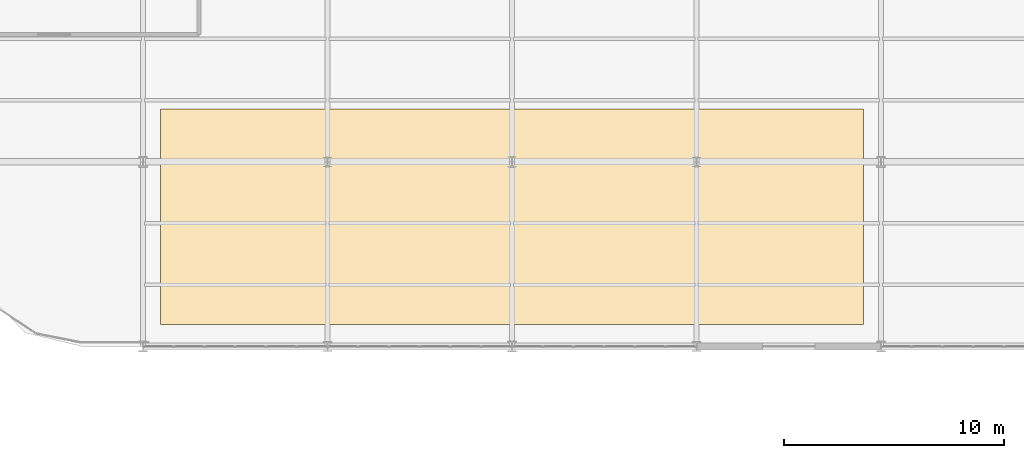
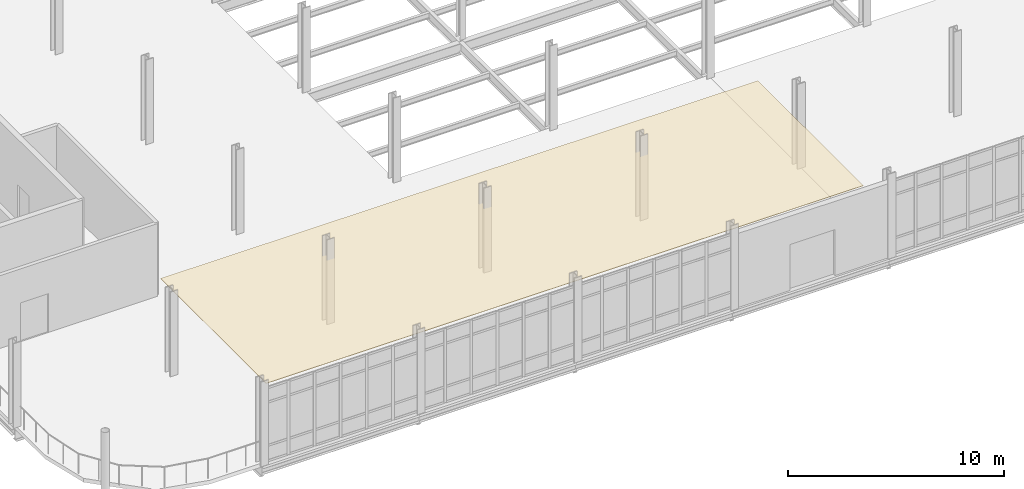
# One storey, part 141 of 145: 1 covering.
"""IFC4 building model written with IfcOpenShell, lengths in metres."""

import ifcopenshell
import ifcopenshell.guid

model = None  # the IFC model being written
_history = None  # IfcOwnerHistory: only IFC2X3 demands one
_inside = {}  # id of a spatial element -> (the spatial element, [elements in it])
_under = {}  # id of a project, library or spatial element -> (it, [spatial elements below it])
_declared = {}  # id of a project -> (the project, [libraries it declares])
_typed = {}  # id of a type object -> (the type object, [elements of that type])
_made_of = {}  # id of a material, layer set ... -> (it, [elements and type objects made of it])


def new_model(schema):
    """Start an empty IFC model of exactly this schema.

    Asked for "IFC4X3", IfcOpenShell would pick the latest addendum, in which some entities
    have other attributes; the version numbers below select the first issue.
    IFC2X3 requires an IfcOwnerHistory on every rooted entity: one is made here for all.
    """
    global model, _history
    if schema == "IFC4X3":
        model = ifcopenshell.file(schema_version=(4, 3, 0, 0))
    else:
        model = ifcopenshell.file(schema=schema)
    _inside.clear()
    _under.clear()
    _declared.clear()
    _typed.clear()
    _made_of.clear()
    _history = None
    if model.schema == "IFC2X3":
        org = make("IfcOrganization", Name="unknown")
        user = make(
            "IfcPersonAndOrganization",
            ThePerson=make("IfcPerson", FamilyName="unknown"),
            TheOrganization=org,
        )
        app = make(
            "IfcApplication",
            ApplicationDeveloper=org,
            Version="unknown",
            ApplicationFullName="unknown",
            ApplicationIdentifier="unknown",
        )
        _history = make(
            "IfcOwnerHistory",
            OwningUser=user,
            OwningApplication=app,
            ChangeAction="ADDED",
            CreationDate=0,
        )
    return model


def make(cls, **values):
    """One entity of the class cls with the attributes given. An attribute that is None is left unset."""
    return model.create_entity(
        cls, **{name: value for name, value in values.items() if value is not None}
    )


def rooted(cls, **values):
    """An entity with a GlobalId (a new one), such as an element, a storey or a relation."""
    return make(cls, GlobalId=ifcopenshell.guid.new(), OwnerHistory=_history, **values)


def si_unit(unit_type, name, prefix=None):
    """IfcSIUnit, for example si_unit("LENGTHUNIT", "METRE", prefix="MILLI")."""
    return make("IfcSIUnit", UnitType=unit_type, Prefix=prefix, Name=name)


def assignment(units):
    """IfcUnitAssignment: the units of a project."""
    return None if units is None else make("IfcUnitAssignment", Units=units)


def point(xyz):
    """IfcCartesianPoint."""
    return None if xyz is None else make("IfcCartesianPoint", Coordinates=xyz)


def direction(xyz):
    """IfcDirection."""
    return None if xyz is None else make("IfcDirection", DirectionRatios=xyz)


def frame(location, z_axis=None, x_axis=None):
    """IfcAxis2Placement3D, a coordinate frame: its origin and axes. An axis left out is left unset."""
    return make(
        "IfcAxis2Placement3D",
        Location=point(location),
        Axis=direction(z_axis),
        RefDirection=direction(x_axis),
    )


def origin():
    """The frame at (0, 0, 0) with its axes left unset."""
    return frame((0.0, 0.0, 0.0))


def place(relative_to, where):
    """IfcLocalPlacement: puts the frame where relative to a parent placement (None: the world)."""
    return make(
        "IfcLocalPlacement", PlacementRelTo=relative_to, RelativePlacement=where
    )


def context(
    kind, dimensions, precision=None, world=None, true_north=None, identifier=None
):
    """IfcGeometricRepresentationContext, for example the 3D "Model" context."""
    return make(
        "IfcGeometricRepresentationContext",
        ContextIdentifier=identifier,
        ContextType=kind,
        CoordinateSpaceDimension=dimensions,
        Precision=precision,
        WorldCoordinateSystem=world,
        TrueNorth=true_north,
    )


def subcontext(parent, identifier, kind, view, scale=None):
    """IfcGeometricRepresentationSubContext, for example "Body" below "Model"."""
    return make(
        "IfcGeometricRepresentationSubContext",
        ContextIdentifier=identifier,
        ContextType=kind,
        ParentContext=parent,
        TargetScale=scale,
        TargetView=view,
    )


def project(units=None, contexts=None):
    """IfcProject with its units and contexts."""
    return rooted(
        "IfcProject",
        Name="project",
        RepresentationContexts=contexts,
        UnitsInContext=assignment(units),
    )


def spatial(cls, under=None, at=None, **own):
    """A site, building, storey or space (cls), placed at a placement, below another one or the project."""
    s = rooted(cls, ObjectPlacement=at, **own)
    if under is not None:
        _under.setdefault(under.id(), (under, []))[1].append(s)
    return s


def polyline(points):
    """IfcPolyline through the points."""
    return make("IfcPolyline", Points=[point(p) for p in points])


def outline(outer, holes=None, kind="AREA"):
    """IfcArbitraryClosedProfileDef: a profile drawn as a closed curve; with holes, ...WithVoids."""
    if holes is None:
        return make("IfcArbitraryClosedProfileDef", ProfileType=kind, OuterCurve=outer)
    return make(
        "IfcArbitraryProfileDefWithVoids",
        ProfileType=kind,
        OuterCurve=outer,
        InnerCurves=holes,
    )


def extrude(swept, where, along, depth):
    """IfcExtrudedAreaSolid: the profile swept, set in the frame where, extruded along a direction by depth."""
    return make(
        "IfcExtrudedAreaSolid",
        SweptArea=swept,
        Position=where,
        ExtrudedDirection=direction(along),
        Depth=depth,
    )


def shape(context_of_items, identifier, shape_type, items):
    """IfcShapeRepresentation: the items that make up one representation, for example the "Body"."""
    return make(
        "IfcShapeRepresentation",
        ContextOfItems=context_of_items,
        RepresentationIdentifier=identifier,
        RepresentationType=shape_type,
        Items=items,
    )


def material(Name=None, Category=None):
    """IfcMaterial."""
    return make("IfcMaterial", Name=Name, Category=Category)


def layer(
    of_material, thickness, ventilated=None, Name=None, Category=None, Priority=None
):
    """IfcMaterialLayer: one layer of a wall or slab, of a material (None: an air gap)."""
    return make(
        "IfcMaterialLayer",
        Material=of_material,
        LayerThickness=thickness,
        IsVentilated=ventilated,
        Name=Name,
        Category=Category,
        Priority=Priority,
    )


def layer_set(layers, Name=None):
    """IfcMaterialLayerSet."""
    return make("IfcMaterialLayerSet", MaterialLayers=layers, LayerSetName=Name)


def made_of(thing, what):
    """Note that an element or type object is made of a material, layer set ...; save() writes the relation."""
    if what is not None:
        _made_of.setdefault(what.id(), (what, []))[1].append(thing)
    return thing


def type_object(cls, material=None, **own):
    """A type object (cls), such as IfcWallType, which elements share."""
    return made_of(rooted(cls, **own), material)


def element(
    cls,
    number,
    at=None,
    inside=None,
    cuts=None,
    type_object=None,
    material=None,
    context=None,
    identifier="Body",
    shape_type=None,
    held_by="IfcProductDefinitionShape",
    body=None,
    shapes=None,
    **own,
):
    """One element of the class cls, such as IfcWall. Its Tag is "e" and its number.

    at: its placement. inside: the storey or other place that contains it. cuts: it is an
    opening in that element (IfcRelVoidsElement). A single representation is given by context,
    identifier, shape_type and body (its items); several are given by shapes. held_by: the class
    of the entity that holds the representations. save() writes the other relations.
    """
    e = rooted(cls, Tag="e%d" % number, ObjectPlacement=at, **own)
    if body is not None:
        shapes = [shape(context, identifier, shape_type, body)]
    if shapes is not None:
        e.Representation = make(held_by, Representations=shapes)
    if inside is not None:
        _inside.setdefault(inside.id(), (inside, []))[1].append(e)
    if cuts is not None:
        rooted(
            "IfcRelVoidsElement", RelatingBuildingElement=cuts, RelatedOpeningElement=e
        )
    if type_object is not None:
        _typed.setdefault(type_object.id(), (type_object, []))[1].append(e)
    return made_of(e, material)


def aggregate(whole, parts):
    """IfcRelAggregates: a whole, such as a stair, and the parts it consists of."""
    return rooted("IfcRelAggregates", RelatingObject=whole, RelatedObjects=parts)


def save(model, path):
    """Write the relations noted so far, then the file.

    IfcRelAggregates (storeys below a building ...), IfcRelContainedInSpatialStructure (elements
    in a storey), IfcRelDefinesByType, IfcRelAssociatesMaterial and IfcRelDeclares: one each for
    every whole, place, type object, material and project.
    """
    for whole, parts in _under.values():
        aggregate(whole, parts)
    for where, things in _inside.values():
        rooted(
            "IfcRelContainedInSpatialStructure",
            RelatedElements=things,
            RelatingStructure=where,
        )
    for kind, things in _typed.values():
        rooted("IfcRelDefinesByType", RelatedObjects=things, RelatingType=kind)
    for what, things in _made_of.values():
        rooted("IfcRelAssociatesMaterial", RelatedObjects=things, RelatingMaterial=what)
    for by, libraries in _declared.values():
        rooted("IfcRelDeclares", RelatingContext=by, RelatedDefinitions=libraries)
    model.write(path)


model = new_model("IFC4")

# Units and contexts
model_context = context("Model", 3, precision=1e-05, world=origin(), true_north=direction((0.0, 1.0)))
body_context = subcontext(model_context, "Body", "Model", "MODEL_VIEW")
ifc_project = project(units=[si_unit("LENGTHUNIT", "METRE"), si_unit("AREAUNIT", "SQUARE_METRE"), si_unit("VOLUMEUNIT", "CUBIC_METRE"), si_unit("PLANEANGLEUNIT", "RADIAN"), si_unit("MASSUNIT", "GRAM", prefix="KILO")], contexts=[model_context])

# Site, building, storey
site_placement = place(None, origin())
site = spatial("IfcSite", under=ifc_project, at=site_placement, CompositionType="ELEMENT")
building_placement = place(site_placement, origin())
building = spatial("IfcBuilding", under=site, at=building_placement, Name="Qalvenar Corner Mobility Hub", CompositionType="ELEMENT")
storey_placement = place(building_placement, origin())
storey = spatial("IfcBuildingStorey", under=building, at=storey_placement, Name="L00", CompositionType="ELEMENT", Elevation=0.0)

# Covering
ifc_material = material(Name="Perforated Acoustic Mineral Ceiling Board", Category="concrete")
ifc_layer = layer(ifc_material, 0.02490234375)
ifc_layer_set = layer_set([ifc_layer], Name="Perforated Acoustic Mineral Ceiling Board")
covering_type = type_object("IfcCoveringType", Name="COV-CEIL-AC", PredefinedType="CEILING", material=ifc_layer_set)
covering_placement = place(storey_placement, frame((0.0, 0.0, 3.60009765625)))
element("IfcCovering", 1, at=covering_placement, inside=storey, type_object=covering_type, Name="Mobility Service Hall Acoustic Ceiling", PredefinedType="CEILING", context=body_context, shape_type="SweptSolid", body=[
    extrude(outline(polyline([(68.0, 68.199951171875), (100.0, 68.199951171875), (100.0, 78.0), (68.0, 78.0), (68.0, 68.199951171875)])), origin(), (0.0, 0.0, 1.0), 0.02490234375),
])

save(model, "model.ifc")
